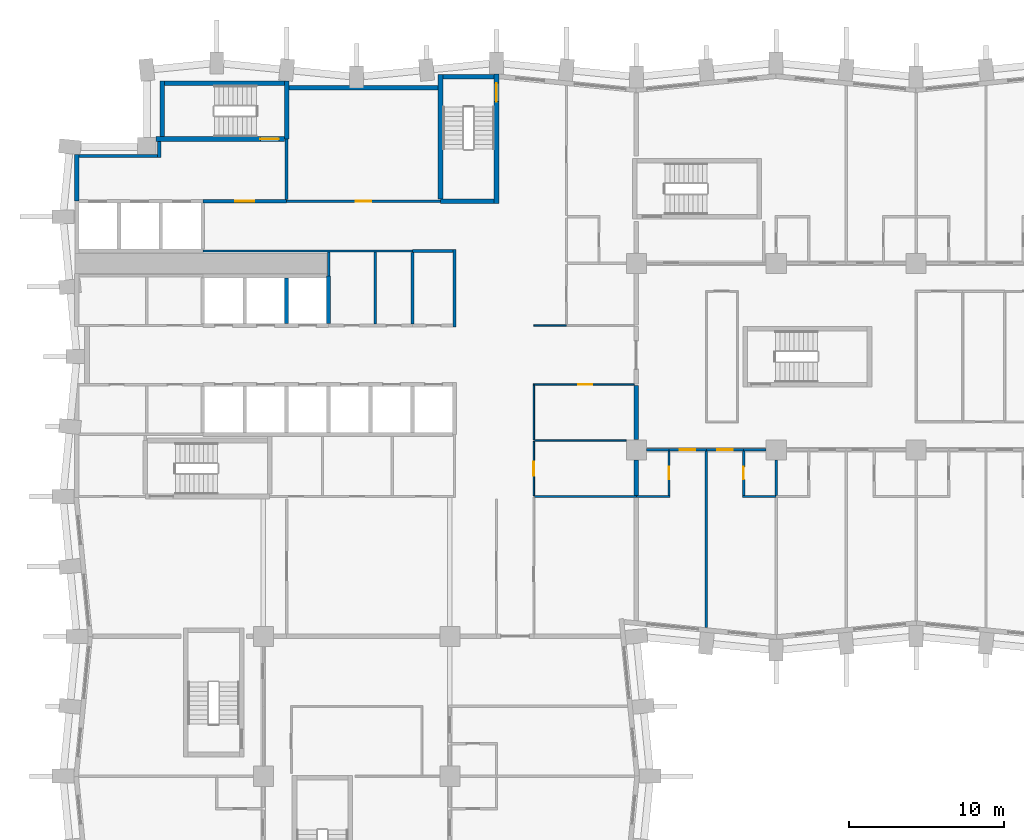
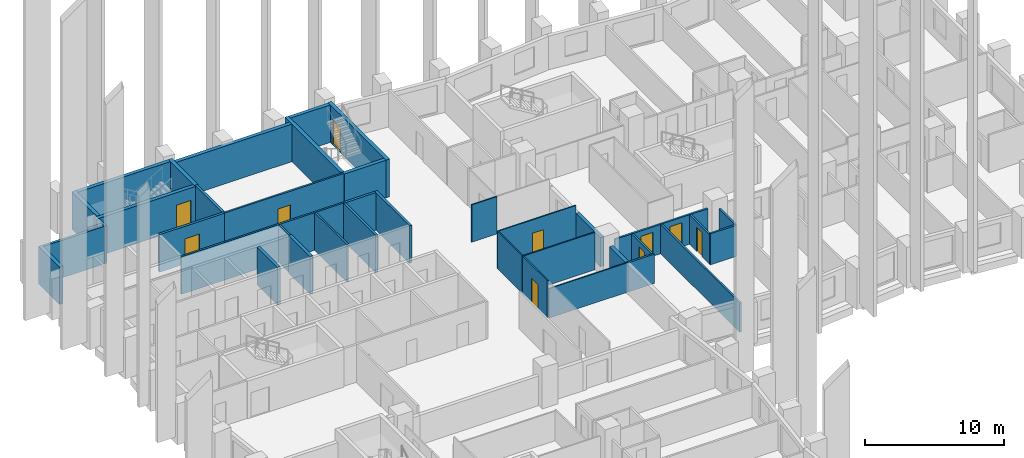
# One storey, part 7 of 13: 41 walls, 10 doors, 10 openings.
"""IFC4 building model written with IfcOpenShell, lengths in metres."""

from ifc_helpers import new_model, si_unit, direction, frame, frame_2d, origin, place, context, subcontext, project, spatial, rectangle, extrude, material, layer, layer_set, type_object, element, fill, save


model = new_model("IFC4")

# Units and contexts
model_context = context("Model", 3, precision=1e-05, world=origin(), true_north=direction((0.0, 1.0)))
body_context = subcontext(model_context, "Body", "Model", "MODEL_VIEW")
ifc_project = project(units=[si_unit("LENGTHUNIT", "METRE"), si_unit("AREAUNIT", "SQUARE_METRE"), si_unit("VOLUMEUNIT", "CUBIC_METRE"), si_unit("PLANEANGLEUNIT", "RADIAN"), si_unit("MASSUNIT", "GRAM", prefix="KILO")], contexts=[model_context])

# Site, building, storey
site_placement = place(None, origin())
site = spatial("IfcSite", under=ifc_project, at=site_placement, CompositionType="ELEMENT")
building_placement = place(site_placement, origin())
building = spatial("IfcBuilding", under=site, at=building_placement, Name="Brondeck Convention Tower", CompositionType="ELEMENT")
storey_placement = place(building_placement, frame((0.0, 0.0, 37.5)))
storey = spatial("IfcBuildingStorey", under=building, at=storey_placement, Name="L06", CompositionType="ELEMENT", Elevation=37.5)

# Walls
ifc_material_1 = material(Name="Concrete compartment wall C30/37", Category="concrete")
ifc_layer_1 = layer(ifc_material_1, 0.300048828125)
ifc_layer_set_1 = layer_set([ifc_layer_1], Name="Compartment wall 300")
wall_type_1 = type_object("IfcWallType", Name="Compartment wall 300", PredefinedType="PARTITIONING", material=ifc_layer_set_1)
wall_1_placement = place(storey_placement, frame((36.0, 38.344970703125, 0.0), z_axis=(0.0, 0.0, 1.0), x_axis=(0.0, -1.0, 0.0)))
element("IfcWall", 1, at=wall_1_placement, inside=storey, type_object=wall_type_1, Name="FLR-L06-W077", PredefinedType="PARTITIONING", context=body_context, shape_type="SweptSolid", body=[
    extrude(rectangle(XDim=2.27001953125, YDim=0.300048828125, at=frame_2d((1.135009765625, 0.0))), origin(), (0.0, 0.0, 1.0), 2.580078125),
])
wall_2_placement = place(storey_placement, frame((36.0, 43.14990234375, 0.0), z_axis=(0.0, 0.0, 1.0), x_axis=(0.0, -1.0, 0.0)))
element("IfcWall", 2, at=wall_2_placement, inside=storey, type_object=wall_type_1, Name="FLR-L06-W110", PredefinedType="PARTITIONING", context=body_context, shape_type="SweptSolid", body=[
    extrude(rectangle(XDim=3.494873046875, YDim=0.300048828125, at=frame_2d((1.74755859375, 0.0))), origin(), (0.0, 0.0, 1.0), 2.580078125),
])
ifc_material_2 = material(Name="Concrete C80/95", Category="concrete")
ifc_layer_2 = layer(ifc_material_2, 0.199951171875)
ifc_layer_set_2 = layer_set([ifc_layer_2], Name="Core beam-seat wall 200 Concrete C80/95")
wall_type_2 = type_object("IfcWallType", Name="Core beam-seat wall 200 Concrete C80/95", PredefinedType="SHEAR", material=ifc_layer_set_2)
wall_3_placement = place(storey_placement, frame((24.300048828125, 46.89990234375, 0.0), z_axis=(0.0, 0.0, 1.0), x_axis=(0.0, 1.0, 0.0)))
element("IfcWall", 3, at=wall_3_placement, inside=storey, type_object=wall_type_2, Name="L06 core wall", PredefinedType="SHEAR", context=body_context, shape_type="SweptSolid", body=[
    extrude(rectangle(XDim=5.0, YDim=0.199951171875, at=frame_2d((2.5, 0.0))), origin(), (0.0, 0.0, 1.0), 3.300048828125),
])
ifc_layer_3 = layer(ifc_material_2, 0.300048828125)
ifc_layer_set_3 = layer_set([ifc_layer_3], Name="Core outer wall 300 Concrete C80/95")
wall_type_3 = type_object("IfcWallType", Name="Core outer wall 300 Concrete C80/95", PredefinedType="SHEAR", material=ifc_layer_set_3)
wall_4_placement = place(storey_placement, frame((13.64990234375, 62.300048828125, 0.0), z_axis=(0.0, 0.0, 1.0), x_axis=(1.0, 0.0, 0.0)))
element("IfcWall", 4, at=wall_4_placement, inside=storey, type_object=wall_type_3, Name="L06 core wall", PredefinedType="SHEAR", context=body_context, shape_type="SweptSolid", body=[
    extrude(rectangle(XDim=9.60009765625, YDim=0.300048828125, at=frame_2d((4.800048828125, 0.0))), origin(), (0.0, 0.0, 1.0), 3.300048828125),
])
wall_5_placement = place(storey_placement, frame((0.0, 55.0, 0.0), z_axis=(0.0, 0.0, 1.0), x_axis=(0.0, 1.0, 0.0)))
element("IfcWall", 5, at=wall_5_placement, inside=storey, type_object=wall_type_3, Name="L06 core wall", PredefinedType="SHEAR", context=body_context, shape_type="SweptSolid", body=[
    extrude(rectangle(XDim=3.0, YDim=0.300048828125, at=frame_2d((1.5, 0.0))), origin(), (0.0, 0.0, 1.0), 3.300048828125),
])
ifc_material_3 = material(Name="Fire-rated gypsum board partition")
ifc_layer_4 = layer(ifc_material_3, 0.14990234375)
ifc_layer_set_4 = layer_set([ifc_layer_4], Name="Core partition 150 EI 60")
wall_type_4 = type_object("IfcWallType", Name="Core partition 150 EI 60", PredefinedType="PARTITIONING", material=ifc_layer_set_4)
wall_6_placement = place(storey_placement, frame((8.10009765625, 51.800048828125, 0.0), z_axis=(0.0, 0.0, 1.0), x_axis=(1.0, 0.0, 0.0)))
element("IfcWall", 6, at=wall_6_placement, inside=storey, type_object=wall_type_4, Name="L06 core wall", PredefinedType="PARTITIONING", context=body_context, shape_type="SweptSolid", body=[
    extrude(rectangle(XDim=13.5, YDim=0.14990234375, at=frame_2d((6.75, 0.0))), origin(), (0.0, 0.0, 1.0), 3.300048828125),
])

# Wall, opening, door
wall_7_placement = place(storey_placement, frame((13.5, 55.0, 0.0), z_axis=(0.0, 0.0, 1.0), x_axis=(1.0, 0.0, 0.0)))
wall_7 = element("IfcWall", 7, at=wall_7_placement, inside=storey, type_object=wall_type_4, Name="L06 core wall", PredefinedType="PARTITIONING", context=body_context, shape_type="SweptSolid", body=[
    extrude(rectangle(XDim=9.89990234375, YDim=0.14990234375, at=frame_2d((4.949951171875, 0.0))), origin(), (0.0, 0.0, 1.0), 3.300048828125),
])
opening_1_placement = place(wall_7_placement, frame((4.449951171875, 0.0, 0.0)))
opening_1 = element("IfcOpeningElement", 8, at=opening_1_placement, cuts=wall_7, Name="Opening C08-13", PredefinedType="OPENING", context=body_context, shape_type="SweptSolid", body=[
    extrude(rectangle(XDim=1.0, YDim=2.10009765625, at=frame_2d((0.5, 1.050048828125))), frame((0.0, 0.0849609375, 0.0), z_axis=(0.0, -1.0, 0.0), x_axis=(1.0, 0.0, 0.0)), (0.0, 0.0, 1.0), 0.169921875),
])
ifc_material_4 = material(Name="Steel fire door", Category="steel")
door_type_1 = type_object("IfcDoorType", Name="Room door 1000x2100 EI 60", OperationType="NOTDEFINED", PredefinedType="DOOR", material=ifc_material_4)
door_1_placement = place(opening_1_placement, origin())
door_1 = element("IfcDoor", 9, at=door_1_placement, inside=storey, type_object=door_type_1, Name="L06 Room door NE-1", OperationType="SINGLE_SWING_LEFT", OverallHeight=2.10009765625, OverallWidth=1.0, PredefinedType="DOOR", context=body_context, shape_type="SweptSolid", body=[
    extrude(rectangle(XDim=1.0, YDim=2.10009765625, at=frame_2d((0.5, 1.050048828125))), frame((0.0, 0.02490234375, 0.0), z_axis=(0.0, -1.0, 0.0), x_axis=(1.0, 0.0, 0.0)), (0.0, 0.0, 1.0), 0.050048828125),
])
fill(opening_1, door_1)

# Walls
wall_8_placement = place(storey_placement, frame((16.199951171875, 50.199951171875, 0.0), z_axis=(0.0, 0.0, 1.0), x_axis=(0.0, 1.0, 0.0)))
element("IfcWall", 10, at=wall_8_placement, inside=storey, type_object=wall_type_4, Name="L06 core wall", PredefinedType="PARTITIONING", context=body_context, shape_type="SweptSolid", body=[
    extrude(rectangle(XDim=1.525146484375, YDim=0.14990234375, at=frame_2d((0.7626953125, 0.0))), origin(), (0.0, 0.0, 1.0), 3.300048828125),
])
wall_9_placement = place(storey_placement, frame((19.199951171875, 47.10009765625, 0.0), z_axis=(0.0, 0.0, 1.0), x_axis=(0.0, 1.0, 0.0)))
element("IfcWall", 11, at=wall_9_placement, inside=storey, type_object=wall_type_4, Name="L06 core wall", PredefinedType="PARTITIONING", context=body_context, shape_type="SweptSolid", body=[
    extrude(rectangle(XDim=4.625, YDim=0.14990234375, at=frame_2d((2.3125, 0.0))), origin(), (0.0, 0.0, 1.0), 3.300048828125),
])

# Wall, opening, door
ifc_layer_5 = layer(ifc_material_3, 0.199951171875)
ifc_layer_set_5 = layer_set([ifc_layer_5], Name="Firefighting lobby wall 200 EI 120")
wall_type_5 = type_object("IfcWallType", Name="Firefighting lobby wall 200 EI 120", PredefinedType="PARTITIONING", material=ifc_layer_set_5)
wall_10_placement = place(storey_placement, frame((8.10009765625, 55.0, 0.0), z_axis=(0.0, 0.0, 1.0), x_axis=(1.0, 0.0, 0.0)))
wall_10 = element("IfcWall", 12, at=wall_10_placement, inside=storey, type_object=wall_type_5, Name="L06 core wall", PredefinedType="PARTITIONING", context=body_context, shape_type="SweptSolid", body=[
    extrude(rectangle(XDim=5.39990234375, YDim=0.199951171875, at=frame_2d((2.699951171875, 0.0))), origin(), (0.0, 0.0, 1.0), 3.300048828125),
])
opening_2_placement = place(wall_10_placement, frame((2.10009765625, 0.0, 0.0)))
opening_2 = element("IfcOpeningElement", 13, at=opening_2_placement, cuts=wall_10, Name="Opening C08-01", PredefinedType="OPENING", context=body_context, shape_type="SweptSolid", body=[
    extrude(rectangle(XDim=1.199951171875, YDim=2.199951171875, at=frame_2d((0.60009765625, 1.10009765625))), frame((0.0, 0.10986328125, 0.0), z_axis=(0.0, -1.0, 0.0), x_axis=(1.0, 0.0, 0.0)), (0.0, 0.0, 1.0), 0.219970703125),
])
door_type_2 = type_object("IfcDoorType", Name="Firefighting lobby door 1200x2200 EI 120", OperationType="NOTDEFINED", PredefinedType="DOOR", material=ifc_material_4)
door_2_placement = place(opening_2_placement, origin())
door_2 = element("IfcDoor", 14, at=door_2_placement, inside=storey, type_object=door_type_2, Name="L06 Firefighting lobby door FFL-1", OperationType="SINGLE_SWING_RIGHT", OverallHeight=2.199951171875, OverallWidth=1.199951171875, PredefinedType="DOOR", context=body_context, shape_type="SweptSolid", body=[
    extrude(rectangle(XDim=1.199951171875, YDim=2.199951171875, at=frame_2d((0.60009765625, 1.10009765625))), frame((0.0, 0.02490234375, 0.0), z_axis=(0.0, -1.0, 0.0), x_axis=(1.0, 0.0, 0.0)), (0.0, 0.0, 1.0), 0.050048828125),
])
fill(opening_2, door_2)

# Walls
wall_11_placement = place(storey_placement, frame((0.14990234375, 57.89990234375, 0.0), z_axis=(0.0, 0.0, 1.0), x_axis=(1.0, 0.0, 0.0)))
element("IfcWall", 15, at=wall_11_placement, inside=storey, type_object=wall_type_5, Name="L06 core wall", PredefinedType="PARTITIONING", context=body_context, shape_type="SweptSolid", body=[
    extrude(rectangle(XDim=5.050048828125, YDim=0.199951171875, at=frame_2d((2.52490234375, 0.0))), origin(), (0.0, 0.0, 1.0), 3.300048828125),
])
wall_12_placement = place(storey_placement, frame((5.300048828125, 57.800048828125, 0.0), z_axis=(0.0, 0.0, 1.0), x_axis=(0.0, 1.0, 0.0)))
element("IfcWall", 16, at=wall_12_placement, inside=storey, type_object=wall_type_5, Name="L06 core wall", PredefinedType="PARTITIONING", context=body_context, shape_type="SweptSolid", body=[
    extrude(rectangle(XDim=1.050048828125, YDim=0.199951171875, at=frame_2d((0.52490234375, 0.0))), origin(), (0.0, 0.0, 1.0), 3.300048828125),
])
wall_13_placement = place(storey_placement, frame((13.5, 55.10009765625, 0.0), z_axis=(0.0, 0.0, 1.0), x_axis=(0.0, 1.0, 0.0)))
element("IfcWall", 17, at=wall_13_placement, inside=storey, type_object=wall_type_5, Name="L06 core wall", PredefinedType="PARTITIONING", context=body_context, shape_type="SweptSolid", body=[
    extrude(rectangle(XDim=3.89990234375, YDim=0.199951171875, at=frame_2d((1.949951171875, 0.0))), origin(), (0.0, 0.0, 1.0), 3.300048828125),
])
ifc_material_5 = material(Name="Double gypsum board acoustic wall")
ifc_layer_6 = layer(ifc_material_5, 0.14990234375)
ifc_layer_set_6 = layer_set([ifc_layer_6], Name="Guest room party wall 150")
wall_type_6 = type_object("IfcWallType", Name="Guest room party wall 150", PredefinedType="PARTITIONING", material=ifc_layer_set_6)
wall_14_placement = place(storey_placement, frame((36.0, 36.0, 0.0), z_axis=(0.0, 0.0, 1.0), x_axis=(1.0, 0.0, 0.0)))
element("IfcWall", 18, at=wall_14_placement, inside=storey, type_object=wall_type_6, Name="FLR-L06-W066", PredefinedType="PARTITIONING", context=body_context, shape_type="SweptSolid", body=[
    extrude(rectangle(XDim=2.175048828125, YDim=0.14990234375, at=frame_2d((1.08740234375, 0.0))), origin(), (0.0, 0.0, 1.0), 2.580078125),
])
wall_15_placement = place(storey_placement, frame((42.824951171875, 36.0, 0.0), z_axis=(0.0, 0.0, 1.0), x_axis=(1.0, 0.0, 0.0)))
element("IfcWall", 19, at=wall_15_placement, inside=storey, type_object=wall_type_6, Name="FLR-L06-W067", PredefinedType="PARTITIONING", context=body_context, shape_type="SweptSolid", body=[
    extrude(rectangle(XDim=2.175048828125, YDim=0.14990234375, at=frame_2d((1.08740234375, 0.0))), origin(), (0.0, 0.0, 1.0), 2.72998046875),
])

# Wall, opening, door
wall_16_placement = place(storey_placement, frame((38.10009765625, 36.074951171875, 0.0), z_axis=(0.0, 0.0, 1.0), x_axis=(0.0, 1.0, 0.0)))
wall_16 = element("IfcWall", 20, at=wall_16_placement, inside=storey, type_object=wall_type_6, Name="FLR-L06-W073", PredefinedType="PARTITIONING", context=body_context, shape_type="SweptSolid", body=[
    extrude(rectangle(XDim=2.85009765625, YDim=0.14990234375, at=frame_2d((1.425048828125, 0.0))), origin(), (0.0, 0.0, 1.0), 2.580078125),
])
opening_3_placement = place(wall_16_placement, frame((1.02490234375, 0.0, 0.0)))
opening_3 = element("IfcOpeningElement", 21, at=opening_3_placement, cuts=wall_16, Name="Opening H1-011", PredefinedType="OPENING", context=body_context, shape_type="SweptSolid", body=[
    extrude(rectangle(XDim=0.800048828125, YDim=2.10009765625, at=frame_2d((0.39990234375, 1.050048828125))), frame((0.0, 0.0849609375, 0.0), z_axis=(0.0, -1.0, 0.0), x_axis=(1.0, 0.0, 0.0)), (0.0, 0.0, 1.0), 0.169921875),
])
ifc_material_6 = material(Name="Solid timber door leaf", Category="wood")
door_type_3 = type_object("IfcDoorType", Name="En-suite door 800", OperationType="NOTDEFINED", PredefinedType="DOOR", material=ifc_material_6)
door_3_placement = place(opening_3_placement, origin())
door_3 = element("IfcDoor", 22, at=door_3_placement, inside=storey, type_object=door_type_3, Name="Door H1-011", OperationType="SINGLE_SWING_LEFT", OverallHeight=2.10009765625, OverallWidth=0.800048828125, PredefinedType="DOOR", context=body_context, shape_type="SweptSolid", body=[
    extrude(rectangle(XDim=0.800048828125, YDim=2.10009765625, at=frame_2d((0.39990234375, 1.050048828125))), frame((0.0, 0.02490234375, 0.0), z_axis=(0.0, -1.0, 0.0), x_axis=(1.0, 0.0, 0.0)), (0.0, 0.0, 1.0), 0.050048828125),
])
fill(opening_3, door_3)

# Walls
wall_17_placement = place(storey_placement, frame((45.0, 38.344970703125, 0.0), z_axis=(0.0, 0.0, 1.0), x_axis=(0.0, -1.0, 0.0)))
element("IfcWall", 23, at=wall_17_placement, inside=storey, type_object=wall_type_6, Name="FLR-L06-W078", PredefinedType="PARTITIONING", context=body_context, shape_type="SweptSolid", body=[
    extrude(rectangle(XDim=2.27001953125, YDim=0.14990234375, at=frame_2d((1.135009765625, 0.0))), origin(), (0.0, 0.0, 1.0), 2.72998046875),
])
wall_18_placement = place(storey_placement, frame((40.5, 38.925048828125, 0.0), z_axis=(0.0, 0.0, 1.0), x_axis=(0.0, -1.0, 0.0)))
element("IfcWall", 24, at=wall_18_placement, inside=storey, type_object=wall_type_6, Name="FLR-L06-W081", PredefinedType="PARTITIONING", context=body_context, shape_type="SweptSolid", body=[
    extrude(rectangle(XDim=11.35009765625, YDim=0.14990234375, at=frame_2d((5.675048828125, 0.0))), origin(), (0.0, 0.0, 1.0), 2.580078125),
])

# Wall, opening, door
wall_19_placement = place(storey_placement, frame((42.89990234375, 38.925048828125, 0.0), z_axis=(0.0, 0.0, 1.0), x_axis=(0.0, -1.0, 0.0)))
wall_19 = element("IfcWall", 25, at=wall_19_placement, inside=storey, type_object=wall_type_6, Name="FLR-L06-W082", PredefinedType="PARTITIONING", context=body_context, shape_type="SweptSolid", body=[
    extrude(rectangle(XDim=2.85009765625, YDim=0.14990234375, at=frame_2d((1.425048828125, 0.0))), origin(), (0.0, 0.0, 1.0), 2.580078125),
])
opening_4_placement = place(wall_19_placement, frame((1.02490234375, 0.0, 0.0)))
opening_4 = element("IfcOpeningElement", 26, at=opening_4_placement, cuts=wall_19, Name="Opening H1-013", PredefinedType="OPENING", context=body_context, shape_type="SweptSolid", body=[
    extrude(rectangle(XDim=0.800048828125, YDim=2.10009765625, at=frame_2d((0.39990234375, 1.050048828125))), frame((0.0, 0.0849609375, 0.0), z_axis=(0.0, -1.0, 0.0), x_axis=(1.0, 0.0, 0.0)), (0.0, 0.0, 1.0), 0.169921875),
])
door_4_placement = place(opening_4_placement, origin())
door_4 = element("IfcDoor", 27, at=door_4_placement, inside=storey, type_object=door_type_3, Name="Door H1-013", OperationType="SINGLE_SWING_LEFT", OverallHeight=2.10009765625, OverallWidth=0.800048828125, PredefinedType="DOOR", context=body_context, shape_type="SweptSolid", body=[
    extrude(rectangle(XDim=0.800048828125, YDim=2.10009765625, at=frame_2d((0.39990234375, 1.050048828125))), frame((0.0, 0.02490234375, 0.0), z_axis=(0.0, -1.0, 0.0), x_axis=(1.0, 0.0, 0.0)), (0.0, 0.0, 1.0), 0.050048828125),
])
fill(opening_4, door_4)

# Wall
wall_20_placement = place(storey_placement, frame((38.10009765625, 39.0, 0.0), z_axis=(0.0, 0.0, 1.0), x_axis=(-1.0, 0.0, 0.0)))
element("IfcWall", 28, at=wall_20_placement, inside=storey, type_object=wall_type_6, Name="FLR-L06-W088", PredefinedType="PARTITIONING", context=body_context, shape_type="SweptSolid", body=[
    extrude(rectangle(XDim=1.445068359375, YDim=0.14990234375, at=frame_2d((0.72265625, 0.0))), origin(), (0.0, 0.0, 1.0), 2.580078125),
])

# Wall, opening, door
wall_21_placement = place(storey_placement, frame((40.5, 39.0, 0.0), z_axis=(0.0, 0.0, 1.0), x_axis=(-1.0, 0.0, 0.0)))
wall_21 = element("IfcWall", 29, at=wall_21_placement, inside=storey, type_object=wall_type_6, Name="FLR-L06-W089", PredefinedType="PARTITIONING", context=body_context, shape_type="SweptSolid", body=[
    extrude(rectangle(XDim=2.39990234375, YDim=0.14990234375, at=frame_2d((1.199951171875, 0.0))), origin(), (0.0, 0.0, 1.0), 2.580078125),
])
opening_5_placement = place(wall_21_placement, frame((0.699951171875, 0.0, 0.0)))
opening_5 = element("IfcOpeningElement", 30, at=opening_5_placement, cuts=wall_21, Name="Opening H1-010", PredefinedType="OPENING", context=body_context, shape_type="SweptSolid", body=[
    extrude(rectangle(XDim=1.0, YDim=2.10009765625, at=frame_2d((0.5, 1.050048828125))), frame((0.0, 0.0849609375, 0.0), z_axis=(0.0, -1.0, 0.0), x_axis=(1.0, 0.0, 0.0)), (0.0, 0.0, 1.0), 0.169921875),
])
ifc_material_7 = material(Name="Solid timber fire door leaf", Category="wood")
door_type_4 = type_object("IfcDoorType", Name="Guest room door 1000", OperationType="NOTDEFINED", PredefinedType="DOOR", material=ifc_material_7)
door_5_placement = place(opening_5_placement, origin())
door_5 = element("IfcDoor", 31, at=door_5_placement, inside=storey, type_object=door_type_4, Name="Door H1-010", OperationType="SINGLE_SWING_LEFT", OverallHeight=2.10009765625, OverallWidth=1.0, PredefinedType="DOOR", context=body_context, shape_type="SweptSolid", body=[
    extrude(rectangle(XDim=1.0, YDim=2.10009765625, at=frame_2d((0.5, 1.050048828125))), frame((0.0, 0.02490234375, 0.0), z_axis=(0.0, -1.0, 0.0), x_axis=(1.0, 0.0, 0.0)), (0.0, 0.0, 1.0), 0.050048828125),
])
fill(opening_5, door_5)

wall_22_placement = place(storey_placement, frame((42.89990234375, 39.0, 0.0), z_axis=(0.0, 0.0, 1.0), x_axis=(-1.0, 0.0, 0.0)))
wall_22 = element("IfcWall", 32, at=wall_22_placement, inside=storey, type_object=wall_type_6, Name="FLR-L06-W090", PredefinedType="PARTITIONING", context=body_context, shape_type="SweptSolid", body=[
    extrude(rectangle(XDim=2.39990234375, YDim=0.14990234375, at=frame_2d((1.199951171875, 0.0))), origin(), (0.0, 0.0, 1.0), 2.580078125),
])
opening_6_placement = place(wall_22_placement, frame((0.699951171875, 0.0, 0.0)))
opening_6 = element("IfcOpeningElement", 33, at=opening_6_placement, cuts=wall_22, Name="Opening H1-012", PredefinedType="OPENING", context=body_context, shape_type="SweptSolid", body=[
    extrude(rectangle(XDim=1.0, YDim=2.10009765625, at=frame_2d((0.5, 1.050048828125))), frame((0.0, 0.0849609375, 0.0), z_axis=(0.0, -1.0, 0.0), x_axis=(1.0, 0.0, 0.0)), (0.0, 0.0, 1.0), 0.169921875),
])
door_6_placement = place(opening_6_placement, origin())
door_6 = element("IfcDoor", 34, at=door_6_placement, inside=storey, type_object=door_type_4, Name="Door H1-012", OperationType="SINGLE_SWING_LEFT", OverallHeight=2.10009765625, OverallWidth=1.0, PredefinedType="DOOR", context=body_context, shape_type="SweptSolid", body=[
    extrude(rectangle(XDim=1.0, YDim=2.10009765625, at=frame_2d((0.5, 1.050048828125))), frame((0.0, 0.02490234375, 0.0), z_axis=(0.0, -1.0, 0.0), x_axis=(1.0, 0.0, 0.0)), (0.0, 0.0, 1.0), 0.050048828125),
])
fill(opening_6, door_6)

# Walls
wall_23_placement = place(storey_placement, frame((44.344970703125, 39.0, 0.0), z_axis=(0.0, 0.0, 1.0), x_axis=(-1.0, 0.0, 0.0)))
element("IfcWall", 35, at=wall_23_placement, inside=storey, type_object=wall_type_6, Name="FLR-L06-W091", PredefinedType="PARTITIONING", context=body_context, shape_type="SweptSolid", body=[
    extrude(rectangle(XDim=1.445068359375, YDim=0.14990234375, at=frame_2d((0.72265625, 0.0))), origin(), (0.0, 0.0, 1.0), 2.580078125),
])
ifc_layer_7 = layer(ifc_material_2, 0.25)
ifc_layer_set_7 = layer_set([ifc_layer_7], Name="Lift shaft wall 250 Concrete C80/95")
wall_type_7 = type_object("IfcWallType", Name="Lift shaft wall 250 Concrete C80/95", PredefinedType="SHEAR", material=ifc_layer_set_7)
wall_24_placement = place(storey_placement, frame((13.5, 47.125, 0.0), z_axis=(0.0, 0.0, 1.0), x_axis=(0.0, 1.0, 0.0)))
element("IfcWall", 36, at=wall_24_placement, inside=storey, type_object=wall_type_7, Name="L06 core wall", PredefinedType="SHEAR", context=body_context, shape_type="SweptSolid", body=[
    extrude(rectangle(XDim=2.949951171875, YDim=0.25, at=frame_2d((1.47509765625, 0.0))), origin(), (0.0, 0.0, 1.0), 3.300048828125),
])
wall_25_placement = place(storey_placement, frame((16.199951171875, 47.125, 0.0), z_axis=(0.0, 0.0, 1.0), x_axis=(0.0, 1.0, 0.0)))
element("IfcWall", 37, at=wall_25_placement, inside=storey, type_object=wall_type_7, Name="L06 core wall", PredefinedType="SHEAR", context=body_context, shape_type="SweptSolid", body=[
    extrude(rectangle(XDim=3.074951171875, YDim=0.25, at=frame_2d((1.53759765625, 0.0))), origin(), (0.0, 0.0, 1.0), 3.300048828125),
])
ifc_layer_8 = layer(ifc_material_3, 0.199951171875)
ifc_layer_set_8 = layer_set([ifc_layer_8], Name="Riser wall 200 EI 120")
wall_type_8 = type_object("IfcWallType", Name="Riser wall 200 EI 120", PredefinedType="PARTITIONING", material=ifc_layer_set_8)
wall_26_placement = place(storey_placement, frame((21.60009765625, 51.800048828125, 0.0), z_axis=(0.0, 0.0, 1.0), x_axis=(1.0, 0.0, 0.0)))
element("IfcWall", 38, at=wall_26_placement, inside=storey, type_object=wall_type_8, Name="L06 core wall", PredefinedType="PARTITIONING", context=body_context, shape_type="SweptSolid", body=[
    extrude(rectangle(XDim=2.599853515625, YDim=0.199951171875, at=frame_2d((1.2998046875, 0.0))), origin(), (0.0, 0.0, 1.0), 3.300048828125),
])
wall_27_placement = place(storey_placement, frame((21.60009765625, 47.10009765625, 0.0), z_axis=(0.0, 0.0, 1.0), x_axis=(0.0, 1.0, 0.0)))
element("IfcWall", 39, at=wall_27_placement, inside=storey, type_object=wall_type_8, Name="L06 core wall", PredefinedType="PARTITIONING", context=body_context, shape_type="SweptSolid", body=[
    extrude(rectangle(XDim=4.599853515625, YDim=0.199951171875, at=frame_2d((2.2998046875, 0.0))), origin(), (0.0, 0.0, 1.0), 3.300048828125),
])
ifc_material_8 = material(Name="Gypsum board partition on steel studs", Category="steel")
ifc_layer_9 = layer(ifc_material_8, 0.10009765625)
ifc_layer_set_9 = layer_set([ifc_layer_9], Name="Room partition 100")
wall_type_9 = type_object("IfcWallType", Name="Room partition 100", PredefinedType="PARTITIONING", material=ifc_layer_set_9)
wall_28_placement = place(storey_placement, frame((36.0, 36.0, 0.0), z_axis=(0.0, 0.0, 1.0), x_axis=(-1.0, 0.0, 0.0)))
element("IfcWall", 40, at=wall_28_placement, inside=storey, type_object=wall_type_9, Name="FLR-L06-W065", PredefinedType="PARTITIONING", context=body_context, shape_type="SweptSolid", body=[
    extrude(rectangle(XDim=6.550048828125, YDim=0.10009765625, at=frame_2d((3.27490234375, 0.0))), origin(), (0.0, 0.0, 1.0), 2.580078125),
])

# Wall, opening, door
wall_29_placement = place(storey_placement, frame((29.39990234375, 39.550048828125, 0.0), z_axis=(0.0, 0.0, 1.0), x_axis=(0.0, -1.0, 0.0)))
wall_29 = element("IfcWall", 41, at=wall_29_placement, inside=storey, type_object=wall_type_9, Name="FLR-L06-W102", PredefinedType="PARTITIONING", context=body_context, shape_type="SweptSolid", body=[
    extrude(rectangle(XDim=3.5, YDim=0.10009765625, at=frame_2d((1.75, 0.0))), origin(), (0.0, 0.0, 1.0), 3.280029296875),
])
opening_7_placement = place(wall_29_placement, frame((1.300048828125, 0.0, 0.0)))
opening_7 = element("IfcOpeningElement", 42, at=opening_7_placement, cuts=wall_29, Name="Opening H1-050", PredefinedType="OPENING", context=body_context, shape_type="SweptSolid", body=[
    extrude(rectangle(XDim=0.89990234375, YDim=2.10009765625, at=frame_2d((0.449951171875, 1.050048828125))), frame((0.0, 0.06005859375, 0.0), z_axis=(0.0, -1.0, 0.0), x_axis=(1.0, 0.0, 0.0)), (0.0, 0.0, 1.0), 0.1201171875),
])
door_type_5 = type_object("IfcDoorType", Name="Single door 900", OperationType="NOTDEFINED", PredefinedType="DOOR", material=ifc_material_6)
door_7_placement = place(opening_7_placement, origin())
door_7 = element("IfcDoor", 43, at=door_7_placement, inside=storey, type_object=door_type_5, Name="Door H1-050", OperationType="SINGLE_SWING_RIGHT", OverallHeight=2.10009765625, OverallWidth=0.89990234375, PredefinedType="DOOR", context=body_context, shape_type="SweptSolid", body=[
    extrude(rectangle(XDim=0.89990234375, YDim=2.10009765625, at=frame_2d((0.449951171875, 1.050048828125))), frame((0.0, 0.02490234375, 0.0), z_axis=(0.0, -1.0, 0.0), x_axis=(1.0, 0.0, 0.0)), (0.0, 0.0, 1.0), 0.050048828125),
])
fill(opening_7, door_7)

# Walls
wall_30_placement = place(storey_placement, frame((35.344970703125, 39.60009765625, 0.0), z_axis=(0.0, 0.0, 1.0), x_axis=(-1.0, 0.0, 0.0)))
element("IfcWall", 44, at=wall_30_placement, inside=storey, type_object=wall_type_9, Name="FLR-L06-W103", PredefinedType="PARTITIONING", context=body_context, shape_type="SweptSolid", body=[
    extrude(rectangle(XDim=5.89501953125, YDim=0.10009765625, at=frame_2d((2.947509765625, 0.0))), origin(), (0.0, 0.0, 1.0), 3.280029296875),
])
wall_31_placement = place(storey_placement, frame((29.39990234375, 43.14990234375, 0.0), z_axis=(0.0, 0.0, 1.0), x_axis=(0.0, -1.0, 0.0)))
element("IfcWall", 45, at=wall_31_placement, inside=storey, type_object=wall_type_9, Name="FLR-L06-W109", PredefinedType="PARTITIONING", context=body_context, shape_type="SweptSolid", body=[
    extrude(rectangle(XDim=3.5, YDim=0.10009765625, at=frame_2d((1.75, 0.0))), origin(), (0.0, 0.0, 1.0), 3.280029296875),
])

# Wall, opening, door
wall_32_placement = place(storey_placement, frame((35.85009765625, 43.199951171875, 0.0), z_axis=(0.0, 0.0, 1.0), x_axis=(-1.0, 0.0, 0.0)))
wall_32 = element("IfcWall", 46, at=wall_32_placement, inside=storey, type_object=wall_type_9, Name="FLR-L06-W111", PredefinedType="PARTITIONING", context=body_context, shape_type="SweptSolid", body=[
    extrude(rectangle(XDim=6.5, YDim=0.10009765625, at=frame_2d((3.25, 0.0))), origin(), (0.0, 0.0, 1.0), 3.280029296875),
])
opening_8_placement = place(wall_32_placement, frame((2.699951171875, 0.0, 0.0)))
opening_8 = element("IfcOpeningElement", 47, at=opening_8_placement, cuts=wall_32, Name="Opening H1-049", PredefinedType="OPENING", context=body_context, shape_type="SweptSolid", body=[
    extrude(rectangle(XDim=0.89990234375, YDim=2.10009765625, at=frame_2d((0.449951171875, 1.050048828125))), frame((0.0, 0.06005859375, 0.0), z_axis=(0.0, -1.0, 0.0), x_axis=(1.0, 0.0, 0.0)), (0.0, 0.0, 1.0), 0.1201171875),
])
door_8_placement = place(opening_8_placement, origin())
door_8 = element("IfcDoor", 48, at=door_8_placement, inside=storey, type_object=door_type_5, Name="Door H1-049", OperationType="SINGLE_SWING_LEFT", OverallHeight=2.10009765625, OverallWidth=0.89990234375, PredefinedType="DOOR", context=body_context, shape_type="SweptSolid", body=[
    extrude(rectangle(XDim=0.89990234375, YDim=2.10009765625, at=frame_2d((0.449951171875, 1.050048828125))), frame((0.0, 0.02490234375, 0.0), z_axis=(0.0, -1.0, 0.0), x_axis=(1.0, 0.0, 0.0)), (0.0, 0.0, 1.0), 0.050048828125),
])
fill(opening_8, door_8)

# Walls
wall_33_placement = place(storey_placement, frame((29.39990234375, 47.0, 0.0), z_axis=(0.0, 0.0, 1.0), x_axis=(1.0, 0.0, 0.0)))
element("IfcWall", 49, at=wall_33_placement, inside=storey, type_object=wall_type_9, Name="FLR-L06-W115", PredefinedType="PARTITIONING", context=body_context, shape_type="SweptSolid", body=[
    extrude(rectangle(XDim=2.10009765625, YDim=0.10009765625, at=frame_2d((1.050048828125, 0.0))), origin(), (0.0, 0.0, 1.0), 3.280029296875),
])
ifc_layer_10 = layer(ifc_material_2, 0.300048828125)
ifc_layer_set_10 = layer_set([ifc_layer_10], Name="Stair enclosure wall 300 Concrete C80/95")
wall_type_10 = type_object("IfcWallType", Name="Stair enclosure wall 300 Concrete C80/95", PredefinedType="SHEAR", material=ifc_layer_set_10)
wall_34_placement = place(storey_placement, frame((23.39990234375, 55.0, 0.0), z_axis=(0.0, 0.0, 1.0), x_axis=(1.0, 0.0, 0.0)))
element("IfcWall", 50, at=wall_34_placement, inside=storey, type_object=wall_type_10, Name="L06 core wall", PredefinedType="SHEAR", context=body_context, shape_type="SweptSolid", body=[
    extrude(rectangle(XDim=3.4501953125, YDim=0.300048828125, at=frame_2d((1.72509765625, 0.0))), origin(), (0.0, 0.0, 1.0), 3.300048828125),
])

# Wall, opening, door
wall_35_placement = place(storey_placement, frame((5.10009765625, 59.0, 0.0), z_axis=(0.0, 0.0, 1.0), x_axis=(1.0, 0.0, 0.0)))
wall_35 = element("IfcWall", 51, at=wall_35_placement, inside=storey, type_object=wall_type_10, Name="L06 core wall", PredefinedType="SHEAR", context=body_context, shape_type="SweptSolid", body=[
    extrude(rectangle(XDim=8.25, YDim=0.300048828125, at=frame_2d((4.125, 0.0))), origin(), (0.0, 0.0, 1.0), 3.300048828125),
])
opening_9_placement = place(wall_35_placement, frame((6.699951171875, 0.0, 0.0)))
opening_9 = element("IfcOpeningElement", 52, at=opening_9_placement, cuts=wall_35, Name="Opening C08-16", PredefinedType="OPENING", context=body_context, shape_type="SweptSolid", body=[
    extrude(rectangle(XDim=1.199951171875, YDim=2.199951171875, at=frame_2d((0.60009765625, 1.10009765625))), frame((0.0, 0.159912109375, 0.0), z_axis=(0.0, -1.0, 0.0), x_axis=(1.0, 0.0, 0.0)), (0.0, 0.0, 1.0), 0.320068359375),
])
door_type_6 = type_object("IfcDoorType", Name="Stair door 1200x2200 EI 120", OperationType="NOTDEFINED", PredefinedType="DOOR", material=ifc_material_4)
door_9_placement = place(opening_9_placement, origin())
door_9 = element("IfcDoor", 53, at=door_9_placement, inside=storey, type_object=door_type_6, Name="L06 Stair door ST-3", OperationType="SINGLE_SWING_RIGHT", OverallHeight=2.199951171875, OverallWidth=1.199951171875, PredefinedType="DOOR", context=body_context, shape_type="SweptSolid", body=[
    extrude(rectangle(XDim=1.199951171875, YDim=2.199951171875, at=frame_2d((0.60009765625, 1.10009765625))), frame((0.0, 0.02490234375, 0.0), z_axis=(0.0, -1.0, 0.0), x_axis=(1.0, 0.0, 0.0)), (0.0, 0.0, 1.0), 0.050048828125),
])
fill(opening_9, door_9)

# Walls
wall_36_placement = place(storey_placement, frame((5.64990234375, 62.60009765625, 0.0), z_axis=(0.0, 0.0, 1.0), x_axis=(1.0, 0.0, 0.0)))
element("IfcWall", 54, at=wall_36_placement, inside=storey, type_object=wall_type_10, Name="L06 core wall", PredefinedType="SHEAR", context=body_context, shape_type="SweptSolid", body=[
    extrude(rectangle(XDim=7.7001953125, YDim=0.300048828125, at=frame_2d((3.85009765625, 0.0))), origin(), (0.0, 0.0, 1.0), 3.300048828125),
])
wall_37_placement = place(storey_placement, frame((23.550048828125, 63.0, 0.0), z_axis=(0.0, 0.0, 1.0), x_axis=(1.0, 0.0, 0.0)))
element("IfcWall", 55, at=wall_37_placement, inside=storey, type_object=wall_type_10, Name="L06 core wall", PredefinedType="SHEAR", context=body_context, shape_type="SweptSolid", body=[
    extrude(rectangle(XDim=3.300048828125, YDim=0.300048828125, at=frame_2d((1.64990234375, 0.0))), origin(), (0.0, 0.0, 1.0), 3.300048828125),
])
wall_38_placement = place(storey_placement, frame((5.5, 59.14990234375, 0.0), z_axis=(0.0, 0.0, 1.0), x_axis=(0.0, 1.0, 0.0)))
element("IfcWall", 56, at=wall_38_placement, inside=storey, type_object=wall_type_10, Name="L06 core wall", PredefinedType="SHEAR", context=body_context, shape_type="SweptSolid", body=[
    extrude(rectangle(XDim=3.60009765625, YDim=0.300048828125, at=frame_2d((1.800048828125, 0.0))), origin(), (0.0, 0.0, 1.0), 3.300048828125),
])
wall_39_placement = place(storey_placement, frame((13.5, 59.0, 0.0), z_axis=(0.0, 0.0, 1.0), x_axis=(0.0, 1.0, 0.0)))
element("IfcWall", 57, at=wall_39_placement, inside=storey, type_object=wall_type_10, Name="L06 core wall", PredefinedType="SHEAR", context=body_context, shape_type="SweptSolid", body=[
    extrude(rectangle(XDim=3.75, YDim=0.300048828125, at=frame_2d((1.875, 0.0))), origin(), (0.0, 0.0, 1.0), 3.300048828125),
])
wall_40_placement = place(storey_placement, frame((23.39990234375, 55.14990234375, 0.0), z_axis=(0.0, 0.0, 1.0), x_axis=(0.0, 1.0, 0.0)))
element("IfcWall", 58, at=wall_40_placement, inside=storey, type_object=wall_type_10, Name="L06 core wall", PredefinedType="SHEAR", context=body_context, shape_type="SweptSolid", body=[
    extrude(rectangle(XDim=8.0, YDim=0.300048828125, at=frame_2d((4.0, 0.0))), origin(), (0.0, 0.0, 1.0), 3.300048828125),
])

# Wall, opening, door
wall_41_placement = place(storey_placement, frame((27.0, 54.85009765625, 0.0), z_axis=(0.0, 0.0, 1.0), x_axis=(0.0, 1.0, 0.0)))
wall_41 = element("IfcWall", 59, at=wall_41_placement, inside=storey, type_object=wall_type_10, Name="L06 core wall", PredefinedType="SHEAR", context=body_context, shape_type="SweptSolid", body=[
    extrude(rectangle(XDim=8.349853515625, YDim=0.300048828125, at=frame_2d((4.1748046875, 0.0))), origin(), (0.0, 0.0, 1.0), 3.300048828125),
])
opening_10_placement = place(wall_41_placement, frame((6.550048828125, 0.0, 0.0)))
opening_10 = element("IfcOpeningElement", 60, at=opening_10_placement, cuts=wall_41, Name="Opening C08-15", PredefinedType="OPENING", context=body_context, shape_type="SweptSolid", body=[
    extrude(rectangle(XDim=1.199951171875, YDim=2.199951171875, at=frame_2d((0.60009765625, 1.10009765625))), frame((0.0, 0.159912109375, 0.0), z_axis=(0.0, -1.0, 0.0), x_axis=(1.0, 0.0, 0.0)), (0.0, 0.0, 1.0), 0.320068359375),
])
door_type_7 = type_object("IfcDoorType", Name="Stair door 1200x2200 EI 90", OperationType="NOTDEFINED", PredefinedType="DOOR", material=ifc_material_4)
door_10_placement = place(opening_10_placement, origin())
door_10 = element("IfcDoor", 61, at=door_10_placement, inside=storey, type_object=door_type_7, Name="L06 Stair door ST-2", OperationType="SINGLE_SWING_LEFT", OverallHeight=2.199951171875, OverallWidth=1.199951171875, PredefinedType="DOOR", context=body_context, shape_type="SweptSolid", body=[
    extrude(rectangle(XDim=1.199951171875, YDim=2.199951171875, at=frame_2d((0.60009765625, 1.10009765625))), frame((0.0, 0.02490234375, 0.0), z_axis=(0.0, -1.0, 0.0), x_axis=(1.0, 0.0, 0.0)), (0.0, 0.0, 1.0), 0.050048828125),
])
fill(opening_10, door_10)

save(model, "model.ifc")
